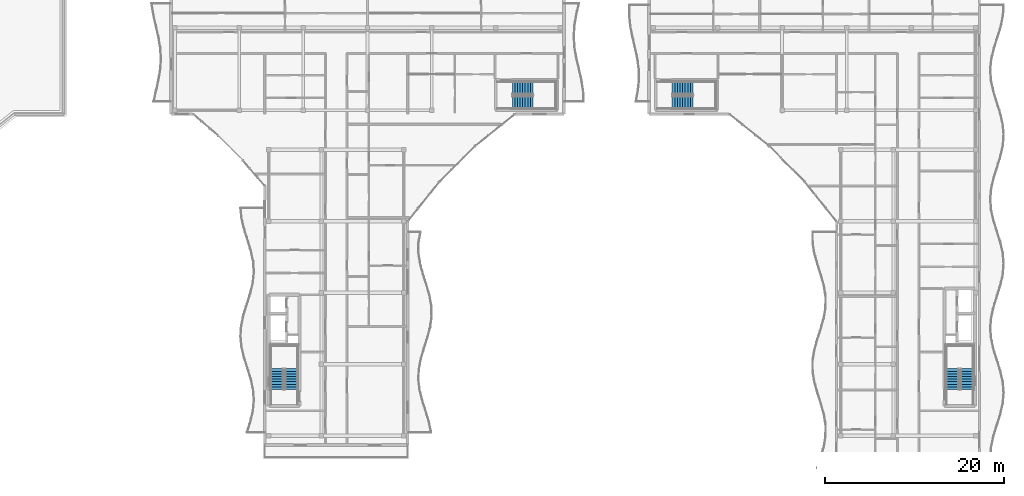
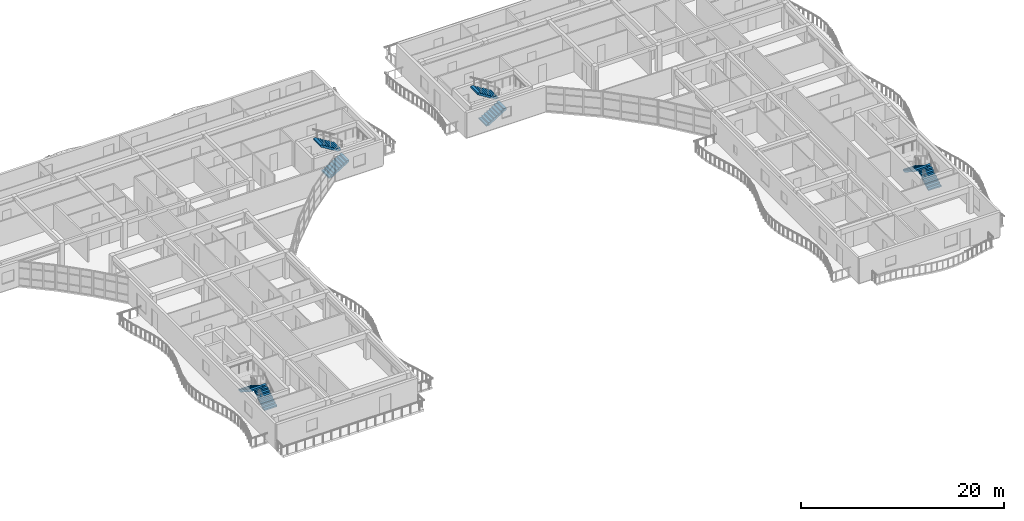
# One storey, part 29 of 39: 8 stair flights, 4 elements without a shape of their own.
"""IFC4 building model written with IfcOpenShell, lengths in metres."""

from ifc_helpers import new_model, si_unit, direction, frame, origin, place, context, subcontext, project, spatial, polyline, outline, extrude, material, type_object, element, aggregate, save


model = new_model("IFC4")

# Units and contexts
model_context = context("Model", 3, precision=1e-05, world=origin(), true_north=direction((0.0, 1.0)))
body_context = subcontext(model_context, "Body", "Model", "MODEL_VIEW")
ifc_project = project(units=[si_unit("LENGTHUNIT", "METRE"), si_unit("AREAUNIT", "SQUARE_METRE"), si_unit("VOLUMEUNIT", "CUBIC_METRE"), si_unit("PLANEANGLEUNIT", "RADIAN"), si_unit("MASSUNIT", "GRAM", prefix="KILO")], contexts=[model_context])

# Site, building, storey
site_placement = place(None, origin())
site = spatial("IfcSite", under=ifc_project, at=site_placement, CompositionType="ELEMENT")
building_placement = place(site_placement, origin())
building = spatial("IfcBuilding", under=site, at=building_placement, Name="Keldmere Railside Commons", CompositionType="ELEMENT")
storey_placement = place(building_placement, frame((0.0, 0.0, 32.9599609375)))
storey = spatial("IfcBuildingStorey", under=building, at=storey_placement, Name="L10", CompositionType="ELEMENT", Elevation=32.9599609375)

# Stair, stair flights
ifc_material = material(Name="Concrete H-30 (C30/37)", Category="concrete")
stair_type_1 = type_object("IfcStairType", Name="Basement Garage Dogleg Escape Stair 1450", PredefinedType="HALF_TURN_STAIR", material=ifc_material)
stair_1_placement = place(storey_placement, origin())
stair_1 = element("IfcStair", 1, at=stair_1_placement, inside=storey, type_object=stair_type_1, Name="L10 Block B Primary Escape Stair 1", PredefinedType="HALF_TURN_STAIR")
stair_flight_type_1 = type_object("IfcStairFlightType", Name="Basement Escape Stair Flight 1450", PredefinedType="STRAIGHT", material=ifc_material)
stair_flight_1_placement = place(storey_placement, frame((106.97509765625, 69.199951171875, 0.0), z_axis=(0.0, 0.0, 1.0), x_axis=(0.0, 1.0, 0.0)))
stair_flight_1 = element("IfcStairFlight", 2, at=stair_flight_1_placement, type_object=stair_flight_type_1, Name="ST-B1 flight 1", NumberOfRisers=9, NumberOfTreads=8, PredefinedType="STRAIGHT", RiserHeight=0.177777778, TreadLength=0.29, context=body_context, shape_type="SweptSolid", body=[
    extrude(outline(polyline([(0.0, 0.0), (0.0, 0.177734375), (0.2900390625, 0.177734375), (0.2900390625, 0.35546875), (0.580078125, 0.35546875), (0.580078125, 0.533447265625), (0.8701171875, 0.533447265625), (0.8701171875, 0.711181640625), (1.159912109375, 0.711181640625), (1.159912109375, 0.888916015625), (1.449951171875, 0.888916015625), (1.449951171875, 1.066650390625), (1.739990234375, 1.066650390625), (1.739990234375, 1.244384765625), (2.030029296875, 1.244384765625), (2.030029296875, 1.422119140625), (2.320068359375, 1.422119140625), (2.320068359375, 1.60009765625), (2.320068359375, 1.211181640625), (0.34423828125, 0.0), (0.0, 0.0)])), frame((0.0, 0.72509765625, 0.0), z_axis=(0.0, -1.0, 0.0), x_axis=(1.0, 0.0, 0.0)), (0.0, 0.0, 1.0), 1.449951171875),
])
stair_flight_2_placement = place(storey_placement, frame((105.375, 71.52001953125, 1.60009765625), z_axis=(0.0, 0.0, 1.0), x_axis=(0.0, -1.0, 0.0)))
stair_flight_2 = element("IfcStairFlight", 3, at=stair_flight_2_placement, type_object=stair_flight_type_1, Name="ST-B1 flight 2", NumberOfRisers=9, NumberOfTreads=8, PredefinedType="STRAIGHT", RiserHeight=0.177777778, TreadLength=0.29, context=body_context, shape_type="SweptSolid", body=[
    extrude(outline(polyline([(0.0, 0.0), (0.0, 0.177734375), (0.2900390625, 0.177734375), (0.2900390625, 0.35546875), (0.580078125, 0.35546875), (0.580078125, 0.533447265625), (0.8701171875, 0.533447265625), (0.8701171875, 0.711181640625), (1.159912109375, 0.711181640625), (1.159912109375, 0.888916015625), (1.449951171875, 0.888916015625), (1.449951171875, 1.066650390625), (1.739990234375, 1.066650390625), (1.739990234375, 1.244384765625), (2.030029296875, 1.244384765625), (2.030029296875, 1.422119140625), (2.320068359375, 1.422119140625), (2.320068359375, 1.60009765625), (2.320068359375, 1.211181640625), (0.34423828125, 0.0), (0.0, 0.0)])), frame((0.0, 0.72509765625, 0.0), z_axis=(0.0, -1.0, 0.0), x_axis=(1.0, 0.0, 0.0)), (0.0, 0.0, 1.0), 1.449951171875),
])
aggregate(stair_1, [stair_flight_1, stair_flight_2])

stair_2_placement = place(storey_placement, origin())
stair_2 = element("IfcStair", 4, at=stair_2_placement, inside=storey, type_object=stair_type_1, Name="L10 Block B Secondary Escape Stair 2", PredefinedType="HALF_TURN_STAIR")
stair_flight_3_placement = place(storey_placement, frame((131.699951171875, 101.324951171875, 0.0), z_axis=(0.0, 0.0, 1.0), x_axis=(1.0, 0.0, 0.0)))
stair_flight_3 = element("IfcStairFlight", 5, at=stair_flight_3_placement, type_object=stair_flight_type_1, Name="ST-B2 flight 1", NumberOfRisers=9, NumberOfTreads=8, PredefinedType="STRAIGHT", RiserHeight=0.177777778, TreadLength=0.29, context=body_context, shape_type="SweptSolid", body=[
    extrude(outline(polyline([(0.0, 0.0), (0.0, 0.177734375), (0.2900390625, 0.177734375), (0.2900390625, 0.35546875), (0.580078125, 0.35546875), (0.580078125, 0.533447265625), (0.8701171875, 0.533447265625), (0.8701171875, 0.711181640625), (1.159912109375, 0.711181640625), (1.159912109375, 0.888916015625), (1.449951171875, 0.888916015625), (1.449951171875, 1.066650390625), (1.739990234375, 1.066650390625), (1.739990234375, 1.244384765625), (2.030029296875, 1.244384765625), (2.030029296875, 1.422119140625), (2.320068359375, 1.422119140625), (2.320068359375, 1.60009765625), (2.320068359375, 1.211181640625), (0.34423828125, 0.0), (0.0, 0.0)])), frame((0.0, 0.72509765625, 0.0), z_axis=(0.0, -1.0, 0.0), x_axis=(1.0, 0.0, 0.0)), (0.0, 0.0, 1.0), 1.449951171875),
])
stair_flight_4_placement = place(storey_placement, frame((134.02001953125, 102.925048828125, 1.60009765625), z_axis=(0.0, 0.0, 1.0), x_axis=(-1.0, 0.0, 0.0)))
stair_flight_4 = element("IfcStairFlight", 6, at=stair_flight_4_placement, type_object=stair_flight_type_1, Name="ST-B2 flight 2", NumberOfRisers=9, NumberOfTreads=8, PredefinedType="STRAIGHT", RiserHeight=0.177777778, TreadLength=0.29, context=body_context, shape_type="SweptSolid", body=[
    extrude(outline(polyline([(0.0, 0.0), (0.0, 0.177734375), (0.2900390625, 0.177734375), (0.2900390625, 0.35546875), (0.580078125, 0.35546875), (0.580078125, 0.533447265625), (0.8701171875, 0.533447265625), (0.8701171875, 0.711181640625), (1.159912109375, 0.711181640625), (1.159912109375, 0.888916015625), (1.449951171875, 0.888916015625), (1.449951171875, 1.066650390625), (1.739990234375, 1.066650390625), (1.739990234375, 1.244384765625), (2.030029296875, 1.244384765625), (2.030029296875, 1.422119140625), (2.320068359375, 1.422119140625), (2.320068359375, 1.60009765625), (2.320068359375, 1.211181640625), (0.34423828125, 0.0), (0.0, 0.0)])), frame((0.0, 0.72509765625, 0.0), z_axis=(0.0, -1.0, 0.0), x_axis=(1.0, 0.0, 0.0)), (0.0, 0.0, 1.0), 1.449951171875),
])
aggregate(stair_2, [stair_flight_3, stair_flight_4])

stair_type_2 = type_object("IfcStairType", Name="Residential Core Dogleg Stair 1450", PredefinedType="HALF_TURN_STAIR", material=ifc_material)
stair_3_placement = place(storey_placement, origin())
stair_3 = element("IfcStair", 7, at=stair_3_placement, inside=storey, type_object=stair_type_2, Name="L10 Block A Primary Escape Stair 1", PredefinedType="HALF_TURN_STAIR")
stair_flight_type_2 = type_object("IfcStairFlightType", Name="Residential Core Stair Flight 1450", PredefinedType="STRAIGHT", material=ifc_material)
stair_flight_5_placement = place(storey_placement, frame((182.574951171875, 69.199951171875, 0.0), z_axis=(0.0, 0.0, 1.0), x_axis=(0.0, 1.0, 0.0)))
stair_flight_5 = element("IfcStairFlight", 8, at=stair_flight_5_placement, type_object=stair_flight_type_2, Name="ST-A1 flight 1", NumberOfRisers=9, NumberOfTreads=8, PredefinedType="STRAIGHT", RiserHeight=0.177777778, TreadLength=0.29, context=body_context, shape_type="SweptSolid", body=[
    extrude(outline(polyline([(0.0, 0.0), (0.0, 0.177734375), (0.2900390625, 0.177734375), (0.2900390625, 0.35546875), (0.580078125, 0.35546875), (0.580078125, 0.533447265625), (0.8701171875, 0.533447265625), (0.8701171875, 0.711181640625), (1.159912109375, 0.711181640625), (1.159912109375, 0.888916015625), (1.449951171875, 0.888916015625), (1.449951171875, 1.066650390625), (1.739990234375, 1.066650390625), (1.739990234375, 1.244384765625), (2.030029296875, 1.244384765625), (2.030029296875, 1.422119140625), (2.320068359375, 1.422119140625), (2.320068359375, 1.60009765625), (2.320068359375, 1.211181640625), (0.34423828125, 0.0), (0.0, 0.0)])), frame((0.0, 0.72509765625, 0.0), z_axis=(0.0, -1.0, 0.0), x_axis=(1.0, 0.0, 0.0)), (0.0, 0.0, 1.0), 1.449951171875),
])
stair_flight_6_placement = place(storey_placement, frame((180.97509765625, 71.52001953125, 1.60009765625), z_axis=(0.0, 0.0, 1.0), x_axis=(0.0, -1.0, 0.0)))
stair_flight_6 = element("IfcStairFlight", 9, at=stair_flight_6_placement, type_object=stair_flight_type_2, Name="ST-A1 flight 2", NumberOfRisers=9, NumberOfTreads=8, PredefinedType="STRAIGHT", RiserHeight=0.177777778, TreadLength=0.29, context=body_context, shape_type="SweptSolid", body=[
    extrude(outline(polyline([(0.0, 0.0), (0.0, 0.177734375), (0.2900390625, 0.177734375), (0.2900390625, 0.35546875), (0.580078125, 0.35546875), (0.580078125, 0.533447265625), (0.8701171875, 0.533447265625), (0.8701171875, 0.711181640625), (1.159912109375, 0.711181640625), (1.159912109375, 0.888916015625), (1.449951171875, 0.888916015625), (1.449951171875, 1.066650390625), (1.739990234375, 1.066650390625), (1.739990234375, 1.244384765625), (2.030029296875, 1.244384765625), (2.030029296875, 1.422119140625), (2.320068359375, 1.422119140625), (2.320068359375, 1.60009765625), (2.320068359375, 1.211181640625), (0.34423828125, 0.0), (0.0, 0.0)])), frame((0.0, 0.72509765625, 0.0), z_axis=(0.0, -1.0, 0.0), x_axis=(1.0, 0.0, 0.0)), (0.0, 0.0, 1.0), 1.449951171875),
])
aggregate(stair_3, [stair_flight_5, stair_flight_6])

stair_4_placement = place(storey_placement, origin())
stair_4 = element("IfcStair", 10, at=stair_4_placement, inside=storey, type_object=stair_type_2, Name="L10 Block A Secondary Escape Stair 2", PredefinedType="HALF_TURN_STAIR")
stair_flight_7_placement = place(storey_placement, frame((149.60009765625, 101.324951171875, 0.0), z_axis=(0.0, 0.0, 1.0), x_axis=(1.0, 0.0, 0.0)))
stair_flight_7 = element("IfcStairFlight", 11, at=stair_flight_7_placement, type_object=stair_flight_type_2, Name="ST-A2 flight 1", NumberOfRisers=9, NumberOfTreads=8, PredefinedType="STRAIGHT", RiserHeight=0.177777778, TreadLength=0.29, context=body_context, shape_type="SweptSolid", body=[
    extrude(outline(polyline([(0.0, 0.0), (0.0, 0.177734375), (0.2900390625, 0.177734375), (0.2900390625, 0.35546875), (0.580078125, 0.35546875), (0.580078125, 0.533447265625), (0.8701171875, 0.533447265625), (0.8701171875, 0.711181640625), (1.159912109375, 0.711181640625), (1.159912109375, 0.888916015625), (1.449951171875, 0.888916015625), (1.449951171875, 1.066650390625), (1.739990234375, 1.066650390625), (1.739990234375, 1.244384765625), (2.030029296875, 1.244384765625), (2.030029296875, 1.422119140625), (2.320068359375, 1.422119140625), (2.320068359375, 1.60009765625), (2.320068359375, 1.211181640625), (0.34423828125, 0.0), (0.0, 0.0)])), frame((0.0, 0.72509765625, 0.0), z_axis=(0.0, -1.0, 0.0), x_axis=(1.0, 0.0, 0.0)), (0.0, 0.0, 1.0), 1.449951171875),
])
stair_flight_8_placement = place(storey_placement, frame((151.919921875, 102.925048828125, 1.60009765625), z_axis=(0.0, 0.0, 1.0), x_axis=(-1.0, 0.0, 0.0)))
stair_flight_8 = element("IfcStairFlight", 12, at=stair_flight_8_placement, type_object=stair_flight_type_2, Name="ST-A2 flight 2", NumberOfRisers=9, NumberOfTreads=8, PredefinedType="STRAIGHT", RiserHeight=0.177777778, TreadLength=0.29, context=body_context, shape_type="SweptSolid", body=[
    extrude(outline(polyline([(0.0, 0.0), (0.0, 0.177734375), (0.2900390625, 0.177734375), (0.2900390625, 0.35546875), (0.580078125, 0.35546875), (0.580078125, 0.533447265625), (0.8701171875, 0.533447265625), (0.8701171875, 0.711181640625), (1.159912109375, 0.711181640625), (1.159912109375, 0.888916015625), (1.449951171875, 0.888916015625), (1.449951171875, 1.066650390625), (1.739990234375, 1.066650390625), (1.739990234375, 1.244384765625), (2.030029296875, 1.244384765625), (2.030029296875, 1.422119140625), (2.320068359375, 1.422119140625), (2.320068359375, 1.60009765625), (2.320068359375, 1.211181640625), (0.34423828125, 0.0), (0.0, 0.0)])), frame((0.0, 0.72509765625, 0.0), z_axis=(0.0, -1.0, 0.0), x_axis=(1.0, 0.0, 0.0)), (0.0, 0.0, 1.0), 1.449951171875),
])
aggregate(stair_4, [stair_flight_7, stair_flight_8])

save(model, "model.ifc")
